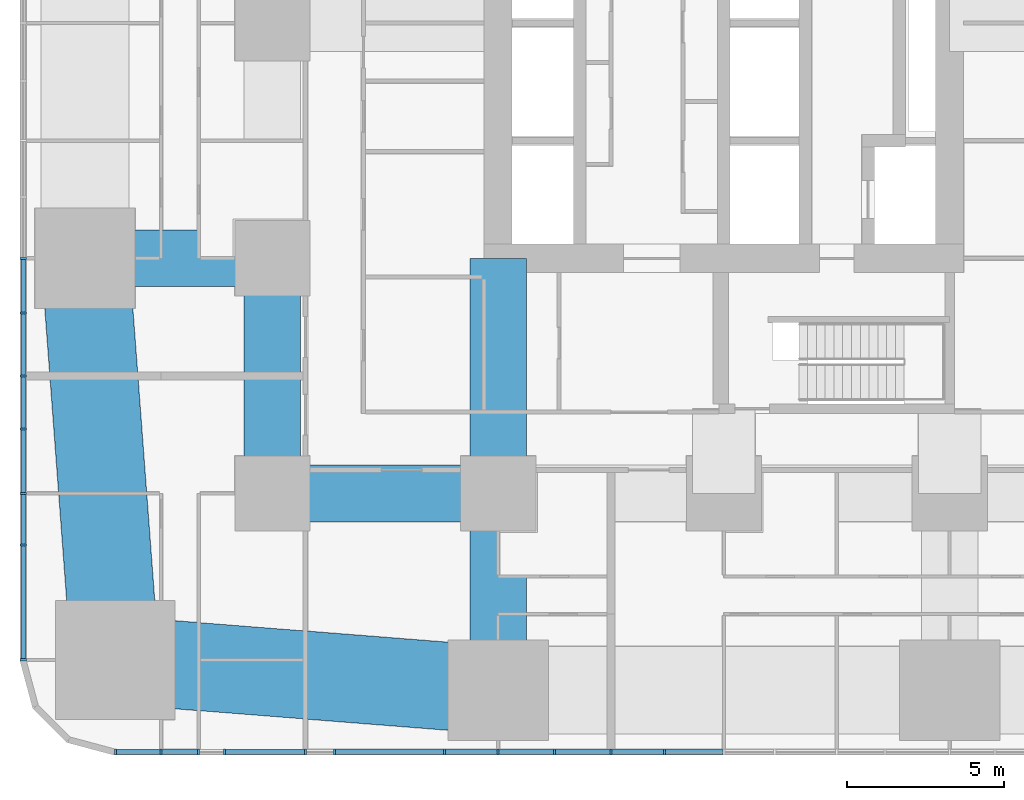
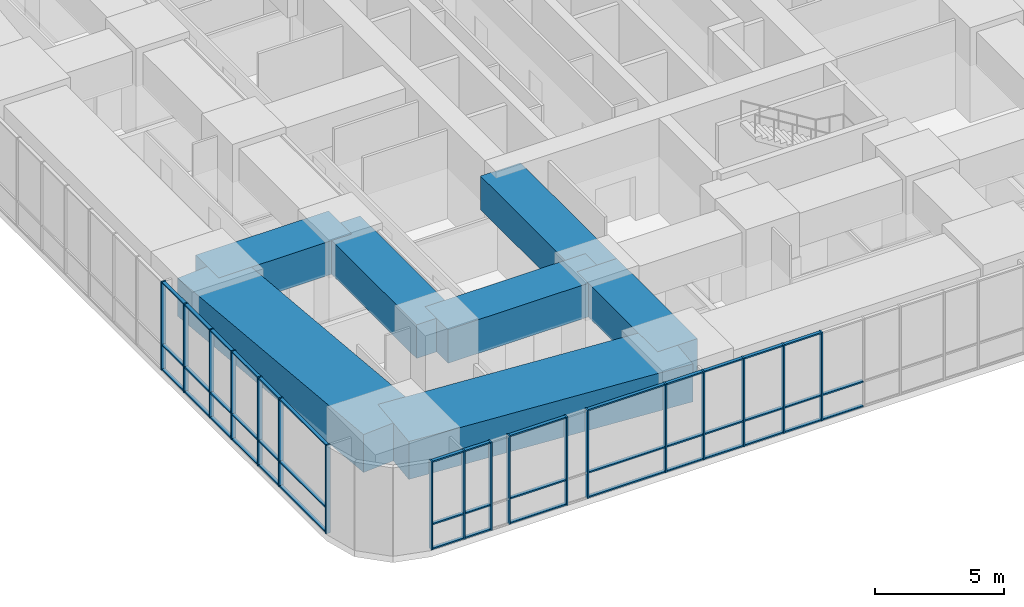
# One storey, part 2 of 23: 62 members, 7 beams, 2 elements without a shape of their own.
"""IFC4 building model written with IfcOpenShell, lengths in metres."""

from ifc_helpers import new_model, si_unit, direction, frame, origin, origin_2d, place, context, subcontext, project, spatial, rectangle, extrude, material, material_profile, profile_set, type_object, element, aggregate, save


model = new_model("IFC4")

# Units and contexts
model_context = context("Model", 3, precision=1e-05, world=origin(), true_north=direction((0.0, 1.0)))
body_context = subcontext(model_context, "Body", "Model", "MODEL_VIEW")
ifc_project = project(units=[si_unit("LENGTHUNIT", "METRE"), si_unit("AREAUNIT", "SQUARE_METRE"), si_unit("VOLUMEUNIT", "CUBIC_METRE"), si_unit("PLANEANGLEUNIT", "RADIAN"), si_unit("MASSUNIT", "GRAM", prefix="KILO")], contexts=[model_context])

# Site, building, storey
site_placement = place(None, origin())
site = spatial("IfcSite", under=ifc_project, at=site_placement, CompositionType="ELEMENT")
building_placement = place(site_placement, origin())
building = spatial("IfcBuilding", under=site, at=building_placement, Name="Sheger Commons Tower", CompositionType="ELEMENT")
storey_placement = place(building_placement, frame((0.0, 0.0, 5.60009765625)))
storey = spatial("IfcBuildingStorey", under=building, at=storey_placement, Name="L01", CompositionType="ELEMENT", Elevation=5.60009765625)

# Beams
ifc_material_1 = material(Name="Concrete C50/60", Category="concrete")
ifc_material_profile_1 = material_profile(ifc_material_1, rectangle(XDim=1.800048828125, YDim=1.60009765625, at=origin_2d()), Name="RC 1800x1600")
ifc_profile_set_1 = profile_set([ifc_material_profile_1], Name="Concrete C50/60")
beam_type_1 = type_object("IfcBeamType", Name="BEAM RC 1800x1600", PredefinedType="BEAM", material=ifc_profile_set_1)
beam_1_placement = place(storey_placement, frame((7.199951171875, 7.5, 3.39990234375), z_axis=(1.0, 0.0, 0.0), x_axis=(0.0, 1.0, 0.0)))
element("IfcBeam", 1, at=beam_1_placement, inside=storey, type_object=beam_type_1, Name="Beam 2/B-3/B under L02", PredefinedType="BEAM", context=body_context, shape_type="SweptSolid", body=[
    extrude(rectangle(XDim=1.800048828125, YDim=1.60009765625, at=origin_2d()), origin(), (0.0, 0.0, 1.0), 7.199951171875),
])
beam_2_placement = place(storey_placement, frame((1.22509765625, 15.0, 3.39990234375), z_axis=(1.0, 0.0, 0.0), x_axis=(0.0, 1.0, 0.0)))
element("IfcBeam", 2, at=beam_2_placement, inside=storey, type_object=beam_type_1, Name="Beam 1/C-2/C under L02", PredefinedType="BEAM", context=body_context, shape_type="SweptSolid", body=[
    extrude(rectangle(XDim=1.800048828125, YDim=1.60009765625, at=origin_2d()), origin(), (0.0, 0.0, 1.0), 5.974853515625),
])
beam_3_placement = place(storey_placement, frame((7.199951171875, 7.5, 3.39990234375), z_axis=(0.0, 1.0, 0.0), x_axis=(-1.0, 0.0, 0.0)))
element("IfcBeam", 3, at=beam_3_placement, inside=storey, type_object=beam_type_1, Name="Beam 2/B-2/C under L02", PredefinedType="BEAM", context=body_context, shape_type="SweptSolid", body=[
    extrude(rectangle(XDim=1.800048828125, YDim=1.60009765625, at=origin_2d()), origin(), (0.0, 0.0, 1.0), 7.5),
])
beam_4_placement = place(storey_placement, frame((14.39990234375, 1.22509765625, 3.39990234375), z_axis=(0.0, 1.0, 0.0), x_axis=(-1.0, 0.0, 0.0)))
element("IfcBeam", 4, at=beam_4_placement, inside=storey, type_object=beam_type_1, Name="Beam 3/A-3/B under L02", PredefinedType="BEAM", context=body_context, shape_type="SweptSolid", body=[
    extrude(rectangle(XDim=1.800048828125, YDim=1.60009765625, at=origin_2d()), origin(), (0.0, 0.0, 1.0), 6.27490234375),
])
beam_5_placement = place(storey_placement, frame((14.39990234375, 7.5, 3.39990234375), z_axis=(0.0, 1.0, 0.0), x_axis=(-1.0, 0.0, 0.0)))
element("IfcBeam", 5, at=beam_5_placement, inside=storey, type_object=beam_type_1, Name="Beam 3/B-3/C under L02", PredefinedType="BEAM", context=body_context, shape_type="SweptSolid", body=[
    extrude(rectangle(XDim=1.800048828125, YDim=1.60009765625, at=origin_2d()), origin(), (0.0, 0.0, 1.0), 7.5),
])

# Curtain wall, members
ifc_material_2 = material(Name="Black aluminium curtain wall, dark tinted glazing", Category="aluminium")
curtain_wall_type = type_object("IfcCurtainWallType", Name="CURTAIN WALL CW2 HEALTH CENTRE", PredefinedType="USERDEFINED", material=ifc_material_2)
curtain_wall_1_placement = place(storey_placement, origin())
curtain_wall_1 = element("IfcCurtainWall", 6, at=curtain_wall_1_placement, inside=storey, type_object=curtain_wall_type, Name="Curtain Wall Cw2 Health Centre S1 L01", ObjectType="STICK CURTAIN WALL", PredefinedType="USERDEFINED")
ifc_material_3 = material(Name="Black anodised aluminium", Category="aluminium")
ifc_material_profile_2 = material_profile(ifc_material_3, rectangle(XDim=0.199951171875, YDim=0.06494140625, at=origin_2d()), Name="AL 65x200")
ifc_profile_set_2 = profile_set([ifc_material_profile_2], Name="Black anodised aluminium")
member_type_1 = type_object("IfcMemberType", Name="MULLION AL 65x200", PredefinedType="MULLION", material=ifc_profile_set_2)
member_1_placement = place(storey_placement, frame((2.195556640625, -0.75, 0.0), z_axis=(0.0, 0.0, 1.0), x_axis=(0.0, 1.0, 0.0)))
member_1 = element("IfcMember", 7, at=member_1_placement, type_object=member_type_1, Name="CW2 mullion 1", PredefinedType="MULLION", context=body_context, shape_type="SweptSolid", body=[
    extrude(rectangle(XDim=0.199951171875, YDim=0.06494140625, at=origin_2d()), origin(), (0.0, 0.0, 1.0), 4.199951171875),
])
member_2_placement = place(storey_placement, frame((3.64990234375, -0.75, 0.0), z_axis=(0.0, 0.0, 1.0), x_axis=(0.0, 1.0, 0.0)))
member_2 = element("IfcMember", 8, at=member_2_placement, type_object=member_type_1, Name="CW2 mullion 2", PredefinedType="MULLION", context=body_context, shape_type="SweptSolid", body=[
    extrude(rectangle(XDim=0.199951171875, YDim=0.06494140625, at=origin_2d()), origin(), (0.0, 0.0, 1.0), 4.199951171875),
])
member_3_placement = place(storey_placement, frame((4.85009765625, -0.75, 0.0), z_axis=(0.0, 0.0, 1.0), x_axis=(0.0, 1.0, 0.0)))
member_3 = element("IfcMember", 9, at=member_3_placement, type_object=member_type_1, Name="CW2 mullion 3", PredefinedType="MULLION", context=body_context, shape_type="SweptSolid", body=[
    extrude(rectangle(XDim=0.199951171875, YDim=0.06494140625, at=origin_2d()), origin(), (0.0, 0.0, 1.0), 4.199951171875),
])
member_4_placement = place(storey_placement, frame((5.673095703125, -0.75, 0.0), z_axis=(0.0, 0.0, 1.0), x_axis=(0.0, 1.0, 0.0)))
member_4 = element("IfcMember", 10, at=member_4_placement, type_object=member_type_1, Name="CW2 mullion 4", PredefinedType="MULLION", context=body_context, shape_type="SweptSolid", body=[
    extrude(rectangle(XDim=0.199951171875, YDim=0.06494140625, at=origin_2d()), origin(), (0.0, 0.0, 1.0), 4.199951171875),
])
member_5_placement = place(storey_placement, frame((8.25, -0.75, 0.0), z_axis=(0.0, 0.0, 1.0), x_axis=(0.0, 1.0, 0.0)))
member_5 = element("IfcMember", 11, at=member_5_placement, type_object=member_type_1, Name="CW2 mullion 5", PredefinedType="MULLION", context=body_context, shape_type="SweptSolid", body=[
    extrude(rectangle(XDim=0.199951171875, YDim=0.06494140625, at=origin_2d()), origin(), (0.0, 0.0, 1.0), 4.199951171875),
])
member_6_placement = place(storey_placement, frame((9.18310546875, -0.75, 0.0), z_axis=(0.0, 0.0, 1.0), x_axis=(0.0, 1.0, 0.0)))
member_6 = element("IfcMember", 12, at=member_6_placement, type_object=member_type_1, Name="CW2 mullion 6", PredefinedType="MULLION", context=body_context, shape_type="SweptSolid", body=[
    extrude(rectangle(XDim=0.199951171875, YDim=0.06494140625, at=origin_2d()), origin(), (0.0, 0.0, 1.0), 4.199951171875),
])
member_7_placement = place(storey_placement, frame((12.693115234375, -0.75, 0.0), z_axis=(0.0, 0.0, 1.0), x_axis=(0.0, 1.0, 0.0)))
member_7 = element("IfcMember", 13, at=member_7_placement, type_object=member_type_1, Name="CW2 mullion 7", PredefinedType="MULLION", context=body_context, shape_type="SweptSolid", body=[
    extrude(rectangle(XDim=0.199951171875, YDim=0.06494140625, at=origin_2d()), origin(), (0.0, 0.0, 1.0), 4.199951171875),
])
member_8_placement = place(storey_placement, frame((14.39990234375, -0.75, 0.0), z_axis=(0.0, 0.0, 1.0), x_axis=(0.0, 1.0, 0.0)))
member_8 = element("IfcMember", 14, at=member_8_placement, type_object=member_type_1, Name="CW2 mullion 8", PredefinedType="MULLION", context=body_context, shape_type="SweptSolid", body=[
    extrude(rectangle(XDim=0.199951171875, YDim=0.06494140625, at=origin_2d()), origin(), (0.0, 0.0, 1.0), 4.199951171875),
])
member_9_placement = place(storey_placement, frame((16.201904296875, -0.75, 0.0), z_axis=(0.0, 0.0, 1.0), x_axis=(0.0, 1.0, 0.0)))
member_9 = element("IfcMember", 15, at=member_9_placement, type_object=member_type_1, Name="CW2 mullion 9", PredefinedType="MULLION", context=body_context, shape_type="SweptSolid", body=[
    extrude(rectangle(XDim=0.199951171875, YDim=0.06494140625, at=origin_2d()), origin(), (0.0, 0.0, 1.0), 4.199951171875),
])
member_10_placement = place(storey_placement, frame((18.0, -0.75, 0.0), z_axis=(0.0, 0.0, 1.0), x_axis=(0.0, 1.0, 0.0)))
member_10 = element("IfcMember", 16, at=member_10_placement, type_object=member_type_1, Name="CW2 mullion 10", PredefinedType="MULLION", context=body_context, shape_type="SweptSolid", body=[
    extrude(rectangle(XDim=0.199951171875, YDim=0.06494140625, at=origin_2d()), origin(), (0.0, 0.0, 1.0), 4.199951171875),
])
member_11_placement = place(storey_placement, frame((19.7119140625, -0.75, 0.0), z_axis=(0.0, 0.0, 1.0), x_axis=(0.0, 1.0, 0.0)))
member_11 = element("IfcMember", 17, at=member_11_placement, type_object=member_type_1, Name="CW2 mullion 11", PredefinedType="MULLION", context=body_context, shape_type="SweptSolid", body=[
    extrude(rectangle(XDim=0.199951171875, YDim=0.06494140625, at=origin_2d()), origin(), (0.0, 0.0, 1.0), 4.199951171875),
])

curtain_wall_2_placement = place(storey_placement, origin())
curtain_wall_2 = element("IfcCurtainWall", 18, at=curtain_wall_2_placement, inside=storey, type_object=curtain_wall_type, Name="Curtain Wall Cw2 Health Centre W1 L01", ObjectType="STICK CURTAIN WALL", PredefinedType="USERDEFINED")
member_12_placement = place(storey_placement, frame((-0.75, 15.0, 0.0), z_axis=(0.0, 0.0, 1.0), x_axis=(1.0, 0.0, 0.0)))
member_12 = element("IfcMember", 19, at=member_12_placement, type_object=member_type_1, Name="CW2 mullion 15", PredefinedType="MULLION", context=body_context, shape_type="SweptSolid", body=[
    extrude(rectangle(XDim=0.199951171875, YDim=0.06494140625, at=origin_2d()), origin(), (0.0, 0.0, 1.0), 4.199951171875),
])
member_13_placement = place(storey_placement, frame((-0.75, 13.256103515625, 0.0), z_axis=(0.0, 0.0, 1.0), x_axis=(1.0, 0.0, 0.0)))
member_13 = element("IfcMember", 20, at=member_13_placement, type_object=member_type_1, Name="CW2 mullion 16", PredefinedType="MULLION", context=body_context, shape_type="SweptSolid", body=[
    extrude(rectangle(XDim=0.199951171875, YDim=0.06494140625, at=origin_2d()), origin(), (0.0, 0.0, 1.0), 4.199951171875),
])
member_14_placement = place(storey_placement, frame((-0.75, 11.25, 0.0), z_axis=(0.0, 0.0, 1.0), x_axis=(1.0, 0.0, 0.0)))
member_14 = element("IfcMember", 21, at=member_14_placement, type_object=member_type_1, Name="CW2 mullion 17", PredefinedType="MULLION", context=body_context, shape_type="SweptSolid", body=[
    extrude(rectangle(XDim=0.199951171875, YDim=0.06494140625, at=origin_2d()), origin(), (0.0, 0.0, 1.0), 4.199951171875),
])
member_15_placement = place(storey_placement, frame((-0.75, 9.55810546875, 0.0), z_axis=(0.0, 0.0, 1.0), x_axis=(1.0, 0.0, 0.0)))
member_15 = element("IfcMember", 22, at=member_15_placement, type_object=member_type_1, Name="CW2 mullion 18", PredefinedType="MULLION", context=body_context, shape_type="SweptSolid", body=[
    extrude(rectangle(XDim=0.199951171875, YDim=0.06494140625, at=origin_2d()), origin(), (0.0, 0.0, 1.0), 4.199951171875),
])
member_16_placement = place(storey_placement, frame((-0.75, 7.5, 0.0), z_axis=(0.0, 0.0, 1.0), x_axis=(1.0, 0.0, 0.0)))
member_16 = element("IfcMember", 23, at=member_16_placement, type_object=member_type_1, Name="CW2 mullion 19", PredefinedType="MULLION", context=body_context, shape_type="SweptSolid", body=[
    extrude(rectangle(XDim=0.199951171875, YDim=0.06494140625, at=origin_2d()), origin(), (0.0, 0.0, 1.0), 4.199951171875),
])
member_17_placement = place(storey_placement, frame((-0.75, 5.861083984375, 0.0), z_axis=(0.0, 0.0, 1.0), x_axis=(1.0, 0.0, 0.0)))
member_17 = element("IfcMember", 24, at=member_17_placement, type_object=member_type_1, Name="CW2 mullion 20", PredefinedType="MULLION", context=body_context, shape_type="SweptSolid", body=[
    extrude(rectangle(XDim=0.199951171875, YDim=0.06494140625, at=origin_2d()), origin(), (0.0, 0.0, 1.0), 4.199951171875),
])
member_18_placement = place(storey_placement, frame((-0.75, 2.195556640625, 0.0), z_axis=(0.0, 0.0, 1.0), x_axis=(1.0, 0.0, 0.0)))
member_18 = element("IfcMember", 25, at=member_18_placement, type_object=member_type_1, Name="CW2 mullion 21", PredefinedType="MULLION", context=body_context, shape_type="SweptSolid", body=[
    extrude(rectangle(XDim=0.199951171875, YDim=0.06494140625, at=origin_2d()), origin(), (0.0, 0.0, 1.0), 4.199951171875),
])

# Beams
ifc_material_4 = material(Name="Concrete C50/60", Category="concrete")
ifc_material_profile_3 = material_profile(ifc_material_4, rectangle(XDim=2.800048828125, YDim=1.800048828125, at=origin_2d()), Name="RC 2800x1800")
ifc_profile_set_3 = profile_set([ifc_material_profile_3], Name="Concrete C50/60")
beam_type_2 = type_object("IfcBeamType", Name="SPANDREL RC 2800x1800", PredefinedType="SPANDREL", material=ifc_profile_set_3)
beam_6_placement = place(storey_placement, frame((2.18603515625, 2.18603515625, 3.2998046875), z_axis=(0.996919342492, -0.078433567843, 0.0), x_axis=(0.078433567843, 0.996919342492, 0.0)))
element("IfcBeam", 26, at=beam_6_placement, inside=storey, type_object=beam_type_2, Name="Beam 0.630,0.630-3/A under L02", PredefinedType="SPANDREL", context=body_context, shape_type="SweptSolid", body=[
    extrude(rectangle(XDim=2.800048828125, YDim=1.800048828125, at=origin_2d()), origin(), (0.0, 0.0, 1.0), 12.251708984375),
])
beam_7_placement = place(storey_placement, frame((1.22509765625, 15.0, 3.2998046875), z_axis=(0.074781446354, -0.997199947494, 0.0), x_axis=(0.997199947494, 0.074781446354, 0.0)))
element("IfcBeam", 27, at=beam_7_placement, inside=storey, type_object=beam_type_2, Name="Beam 1/C-0.630,0.630 under L02", PredefinedType="SPANDREL", context=body_context, shape_type="SweptSolid", body=[
    extrude(rectangle(XDim=2.800048828125, YDim=1.800048828125, at=origin_2d()), origin(), (0.0, 0.0, 1.0), 12.849853515625),
])

# Member
ifc_material_5 = material(Name="Black anodised aluminium", Category="aluminium")
ifc_material_profile_4 = material_profile(ifc_material_5, rectangle(XDim=0.14990234375, YDim=0.06494140625, at=origin_2d()), Name="AL 65x150")
ifc_profile_set_4 = profile_set([ifc_material_profile_4], Name="Black anodised aluminium")
member_type_2 = type_object("IfcMemberType", Name="TRANSOM AL 65x150", PredefinedType="USERDEFINED", material=ifc_profile_set_4)
member_19_placement = place(storey_placement, frame((2.22802734375, -0.75, 0.032470703125), z_axis=(1.0, 0.0, 0.0), x_axis=(0.0, 1.0, 0.0)))
member_19 = element("IfcMember", 28, at=member_19_placement, type_object=member_type_2, Name="CW2 transom 1.1", ObjectType="TRANSOM", PredefinedType="USERDEFINED", context=body_context, shape_type="SweptSolid", body=[
    extrude(rectangle(XDim=0.14990234375, YDim=0.06494140625, at=origin_2d()), origin(), (0.0, 0.0, 1.0), 1.389404296875),
])

member_20_placement = place(storey_placement, frame((2.22802734375, -0.75, 1.199951171875), z_axis=(1.0, 0.0, 0.0), x_axis=(0.0, 1.0, 0.0)))
member_20 = element("IfcMember", 29, at=member_20_placement, type_object=member_type_2, Name="CW2 transom 1.2", ObjectType="TRANSOM", PredefinedType="USERDEFINED", context=body_context, shape_type="SweptSolid", body=[
    extrude(rectangle(XDim=0.14990234375, YDim=0.06494140625, at=origin_2d()), origin(), (0.0, 0.0, 1.0), 1.389404296875),
])

member_21_placement = place(storey_placement, frame((2.22802734375, -0.75, 4.16748046875), z_axis=(1.0, 0.0, 0.0), x_axis=(0.0, 1.0, 0.0)))
member_21 = element("IfcMember", 30, at=member_21_placement, type_object=member_type_2, Name="CW2 transom 1.3", ObjectType="TRANSOM", PredefinedType="USERDEFINED", context=body_context, shape_type="SweptSolid", body=[
    extrude(rectangle(XDim=0.14990234375, YDim=0.06494140625, at=origin_2d()), origin(), (0.0, 0.0, 1.0), 1.389404296875),
])

member_22_placement = place(storey_placement, frame((3.6826171875, -0.75, 0.032470703125), z_axis=(1.0, 0.0, 0.0), x_axis=(0.0, 1.0, 0.0)))
member_22 = element("IfcMember", 31, at=member_22_placement, type_object=member_type_2, Name="CW2 transom 2.1", ObjectType="TRANSOM", PredefinedType="USERDEFINED", context=body_context, shape_type="SweptSolid", body=[
    extrude(rectangle(XDim=0.14990234375, YDim=0.06494140625, at=origin_2d()), origin(), (0.0, 0.0, 1.0), 1.134765625),
])

member_23_placement = place(storey_placement, frame((3.6826171875, -0.75, 1.199951171875), z_axis=(1.0, 0.0, 0.0), x_axis=(0.0, 1.0, 0.0)))
member_23 = element("IfcMember", 32, at=member_23_placement, type_object=member_type_2, Name="CW2 transom 2.2", ObjectType="TRANSOM", PredefinedType="USERDEFINED", context=body_context, shape_type="SweptSolid", body=[
    extrude(rectangle(XDim=0.14990234375, YDim=0.06494140625, at=origin_2d()), origin(), (0.0, 0.0, 1.0), 1.134765625),
])

member_24_placement = place(storey_placement, frame((3.6826171875, -0.75, 4.16748046875), z_axis=(1.0, 0.0, 0.0), x_axis=(0.0, 1.0, 0.0)))
member_24 = element("IfcMember", 33, at=member_24_placement, type_object=member_type_2, Name="CW2 transom 2.3", ObjectType="TRANSOM", PredefinedType="USERDEFINED", context=body_context, shape_type="SweptSolid", body=[
    extrude(rectangle(XDim=0.14990234375, YDim=0.06494140625, at=origin_2d()), origin(), (0.0, 0.0, 1.0), 1.134765625),
])

member_25_placement = place(storey_placement, frame((5.70556640625, -0.75, 0.032470703125), z_axis=(1.0, 0.0, 0.0), x_axis=(0.0, 1.0, 0.0)))
member_25 = element("IfcMember", 34, at=member_25_placement, type_object=member_type_2, Name="CW2 transom 4.1", ObjectType="TRANSOM", PredefinedType="USERDEFINED", context=body_context, shape_type="SweptSolid", body=[
    extrude(rectangle(XDim=0.14990234375, YDim=0.06494140625, at=origin_2d()), origin(), (0.0, 0.0, 1.0), 2.511962890625),
])

member_26_placement = place(storey_placement, frame((5.70556640625, -0.75, 1.199951171875), z_axis=(1.0, 0.0, 0.0), x_axis=(0.0, 1.0, 0.0)))
member_26 = element("IfcMember", 35, at=member_26_placement, type_object=member_type_2, Name="CW2 transom 4.2", ObjectType="TRANSOM", PredefinedType="USERDEFINED", context=body_context, shape_type="SweptSolid", body=[
    extrude(rectangle(XDim=0.14990234375, YDim=0.06494140625, at=origin_2d()), origin(), (0.0, 0.0, 1.0), 2.511962890625),
])

member_27_placement = place(storey_placement, frame((5.70556640625, -0.75, 4.16748046875), z_axis=(1.0, 0.0, 0.0), x_axis=(0.0, 1.0, 0.0)))
member_27 = element("IfcMember", 36, at=member_27_placement, type_object=member_type_2, Name="CW2 transom 4.3", ObjectType="TRANSOM", PredefinedType="USERDEFINED", context=body_context, shape_type="SweptSolid", body=[
    extrude(rectangle(XDim=0.14990234375, YDim=0.06494140625, at=origin_2d()), origin(), (0.0, 0.0, 1.0), 2.511962890625),
])

member_28_placement = place(storey_placement, frame((9.215576171875, -0.75, 0.032470703125), z_axis=(1.0, 0.0, 0.0), x_axis=(0.0, 1.0, 0.0)))
member_28 = element("IfcMember", 37, at=member_28_placement, type_object=member_type_2, Name="CW2 transom 6.1", ObjectType="TRANSOM", PredefinedType="USERDEFINED", context=body_context, shape_type="SweptSolid", body=[
    extrude(rectangle(XDim=0.14990234375, YDim=0.06494140625, at=origin_2d()), origin(), (0.0, 0.0, 1.0), 3.44482421875),
])

member_29_placement = place(storey_placement, frame((9.215576171875, -0.75, 1.199951171875), z_axis=(1.0, 0.0, 0.0), x_axis=(0.0, 1.0, 0.0)))
member_29 = element("IfcMember", 38, at=member_29_placement, type_object=member_type_2, Name="CW2 transom 6.2", ObjectType="TRANSOM", PredefinedType="USERDEFINED", context=body_context, shape_type="SweptSolid", body=[
    extrude(rectangle(XDim=0.14990234375, YDim=0.06494140625, at=origin_2d()), origin(), (0.0, 0.0, 1.0), 3.44482421875),
])

member_30_placement = place(storey_placement, frame((9.215576171875, -0.75, 4.16748046875), z_axis=(1.0, 0.0, 0.0), x_axis=(0.0, 1.0, 0.0)))
member_30 = element("IfcMember", 39, at=member_30_placement, type_object=member_type_2, Name="CW2 transom 6.3", ObjectType="TRANSOM", PredefinedType="USERDEFINED", context=body_context, shape_type="SweptSolid", body=[
    extrude(rectangle(XDim=0.14990234375, YDim=0.06494140625, at=origin_2d()), origin(), (0.0, 0.0, 1.0), 3.44482421875),
])

member_31_placement = place(storey_placement, frame((12.7255859375, -0.75, 0.032470703125), z_axis=(1.0, 0.0, 0.0), x_axis=(0.0, 1.0, 0.0)))
member_31 = element("IfcMember", 40, at=member_31_placement, type_object=member_type_2, Name="CW2 transom 7.1", ObjectType="TRANSOM", PredefinedType="USERDEFINED", context=body_context, shape_type="SweptSolid", body=[
    extrude(rectangle(XDim=0.14990234375, YDim=0.06494140625, at=origin_2d()), origin(), (0.0, 0.0, 1.0), 1.641845703125),
])

member_32_placement = place(storey_placement, frame((12.7255859375, -0.75, 1.199951171875), z_axis=(1.0, 0.0, 0.0), x_axis=(0.0, 1.0, 0.0)))
member_32 = element("IfcMember", 41, at=member_32_placement, type_object=member_type_2, Name="CW2 transom 7.2", ObjectType="TRANSOM", PredefinedType="USERDEFINED", context=body_context, shape_type="SweptSolid", body=[
    extrude(rectangle(XDim=0.14990234375, YDim=0.06494140625, at=origin_2d()), origin(), (0.0, 0.0, 1.0), 1.641845703125),
])

member_33_placement = place(storey_placement, frame((12.7255859375, -0.75, 4.16748046875), z_axis=(1.0, 0.0, 0.0), x_axis=(0.0, 1.0, 0.0)))
member_33 = element("IfcMember", 42, at=member_33_placement, type_object=member_type_2, Name="CW2 transom 7.3", ObjectType="TRANSOM", PredefinedType="USERDEFINED", context=body_context, shape_type="SweptSolid", body=[
    extrude(rectangle(XDim=0.14990234375, YDim=0.06494140625, at=origin_2d()), origin(), (0.0, 0.0, 1.0), 1.641845703125),
])

member_34_placement = place(storey_placement, frame((14.4326171875, -0.75, 0.032470703125), z_axis=(1.0, 0.0, 0.0), x_axis=(0.0, 1.0, 0.0)))
member_34 = element("IfcMember", 43, at=member_34_placement, type_object=member_type_2, Name="CW2 transom 8.1", ObjectType="TRANSOM", PredefinedType="USERDEFINED", context=body_context, shape_type="SweptSolid", body=[
    extrude(rectangle(XDim=0.14990234375, YDim=0.06494140625, at=origin_2d()), origin(), (0.0, 0.0, 1.0), 1.73681640625),
])

member_35_placement = place(storey_placement, frame((14.4326171875, -0.75, 1.199951171875), z_axis=(1.0, 0.0, 0.0), x_axis=(0.0, 1.0, 0.0)))
member_35 = element("IfcMember", 44, at=member_35_placement, type_object=member_type_2, Name="CW2 transom 8.2", ObjectType="TRANSOM", PredefinedType="USERDEFINED", context=body_context, shape_type="SweptSolid", body=[
    extrude(rectangle(XDim=0.14990234375, YDim=0.06494140625, at=origin_2d()), origin(), (0.0, 0.0, 1.0), 1.73681640625),
])

member_36_placement = place(storey_placement, frame((14.4326171875, -0.75, 4.16748046875), z_axis=(1.0, 0.0, 0.0), x_axis=(0.0, 1.0, 0.0)))
member_36 = element("IfcMember", 45, at=member_36_placement, type_object=member_type_2, Name="CW2 transom 8.3", ObjectType="TRANSOM", PredefinedType="USERDEFINED", context=body_context, shape_type="SweptSolid", body=[
    extrude(rectangle(XDim=0.14990234375, YDim=0.06494140625, at=origin_2d()), origin(), (0.0, 0.0, 1.0), 1.73681640625),
])

member_37_placement = place(storey_placement, frame((16.234619140625, -0.75, 0.032470703125), z_axis=(1.0, 0.0, 0.0), x_axis=(0.0, 1.0, 0.0)))
member_37 = element("IfcMember", 46, at=member_37_placement, type_object=member_type_2, Name="CW2 transom 9.1", ObjectType="TRANSOM", PredefinedType="USERDEFINED", context=body_context, shape_type="SweptSolid", body=[
    extrude(rectangle(XDim=0.14990234375, YDim=0.06494140625, at=origin_2d()), origin(), (0.0, 0.0, 1.0), 1.73291015625),
])

member_38_placement = place(storey_placement, frame((16.234619140625, -0.75, 1.199951171875), z_axis=(1.0, 0.0, 0.0), x_axis=(0.0, 1.0, 0.0)))
member_38 = element("IfcMember", 47, at=member_38_placement, type_object=member_type_2, Name="CW2 transom 9.2", ObjectType="TRANSOM", PredefinedType="USERDEFINED", context=body_context, shape_type="SweptSolid", body=[
    extrude(rectangle(XDim=0.14990234375, YDim=0.06494140625, at=origin_2d()), origin(), (0.0, 0.0, 1.0), 1.73291015625),
])

member_39_placement = place(storey_placement, frame((16.234619140625, -0.75, 4.16748046875), z_axis=(1.0, 0.0, 0.0), x_axis=(0.0, 1.0, 0.0)))
member_39 = element("IfcMember", 48, at=member_39_placement, type_object=member_type_2, Name="CW2 transom 9.3", ObjectType="TRANSOM", PredefinedType="USERDEFINED", context=body_context, shape_type="SweptSolid", body=[
    extrude(rectangle(XDim=0.14990234375, YDim=0.06494140625, at=origin_2d()), origin(), (0.0, 0.0, 1.0), 1.73291015625),
])

member_40_placement = place(storey_placement, frame((18.032470703125, -0.75, 0.032470703125), z_axis=(1.0, 0.0, 0.0), x_axis=(0.0, 1.0, 0.0)))
member_40 = element("IfcMember", 49, at=member_40_placement, type_object=member_type_2, Name="CW2 transom 10.1", ObjectType="TRANSOM", PredefinedType="USERDEFINED", context=body_context, shape_type="SweptSolid", body=[
    extrude(rectangle(XDim=0.14990234375, YDim=0.06494140625, at=origin_2d()), origin(), (0.0, 0.0, 1.0), 1.64697265625),
])

member_41_placement = place(storey_placement, frame((18.032470703125, -0.75, 1.199951171875), z_axis=(1.0, 0.0, 0.0), x_axis=(0.0, 1.0, 0.0)))
member_41 = element("IfcMember", 50, at=member_41_placement, type_object=member_type_2, Name="CW2 transom 10.2", ObjectType="TRANSOM", PredefinedType="USERDEFINED", context=body_context, shape_type="SweptSolid", body=[
    extrude(rectangle(XDim=0.14990234375, YDim=0.06494140625, at=origin_2d()), origin(), (0.0, 0.0, 1.0), 1.64697265625),
])

member_42_placement = place(storey_placement, frame((18.032470703125, -0.75, 4.16748046875), z_axis=(1.0, 0.0, 0.0), x_axis=(0.0, 1.0, 0.0)))
member_42 = element("IfcMember", 51, at=member_42_placement, type_object=member_type_2, Name="CW2 transom 10.3", ObjectType="TRANSOM", PredefinedType="USERDEFINED", context=body_context, shape_type="SweptSolid", body=[
    extrude(rectangle(XDim=0.14990234375, YDim=0.06494140625, at=origin_2d()), origin(), (0.0, 0.0, 1.0), 1.64697265625),
])

member_43_placement = place(storey_placement, frame((19.744384765625, -0.75, 0.032470703125), z_axis=(1.0, 0.0, 0.0), x_axis=(0.0, 1.0, 0.0)))
member_43 = element("IfcMember", 52, at=member_43_placement, type_object=member_type_2, Name="CW2 transom 11.1", ObjectType="TRANSOM", PredefinedType="USERDEFINED", context=body_context, shape_type="SweptSolid", body=[
    extrude(rectangle(XDim=0.14990234375, YDim=0.06494140625, at=origin_2d()), origin(), (0.0, 0.0, 1.0), 1.822998046875),
])

member_44_placement = place(storey_placement, frame((19.744384765625, -0.75, 1.199951171875), z_axis=(1.0, 0.0, 0.0), x_axis=(0.0, 1.0, 0.0)))
member_44 = element("IfcMember", 53, at=member_44_placement, type_object=member_type_2, Name="CW2 transom 11.2", ObjectType="TRANSOM", PredefinedType="USERDEFINED", context=body_context, shape_type="SweptSolid", body=[
    extrude(rectangle(XDim=0.14990234375, YDim=0.06494140625, at=origin_2d()), origin(), (0.0, 0.0, 1.0), 1.822998046875),
])

aggregate(curtain_wall_1, [member_1, member_2, member_3, member_4, member_5, member_6, member_7, member_8, member_9, member_10, member_11, member_19, member_20, member_21, member_22, member_23, member_24, member_25, member_26, member_27, member_28, member_29, member_30, member_31, member_32, member_33, member_34, member_35, member_36, member_37, member_38, member_39, member_40, member_41, member_42, member_43, member_44])

member_45_placement = place(storey_placement, frame((-0.75, 14.967529296875, 0.032470703125), z_axis=(0.0, -1.0, 0.0), x_axis=(1.0, 0.0, 0.0)))
member_45 = element("IfcMember", 54, at=member_45_placement, type_object=member_type_2, Name="CW2 transom 15.1", ObjectType="TRANSOM", PredefinedType="USERDEFINED", context=body_context, shape_type="SweptSolid", body=[
    extrude(rectangle(XDim=0.14990234375, YDim=0.06494140625, at=origin_2d()), origin(), (0.0, 0.0, 1.0), 1.678955078125),
])

member_46_placement = place(storey_placement, frame((-0.75, 14.967529296875, 1.199951171875), z_axis=(0.0, -1.0, 0.0), x_axis=(1.0, 0.0, 0.0)))
member_46 = element("IfcMember", 55, at=member_46_placement, type_object=member_type_2, Name="CW2 transom 15.2", ObjectType="TRANSOM", PredefinedType="USERDEFINED", context=body_context, shape_type="SweptSolid", body=[
    extrude(rectangle(XDim=0.14990234375, YDim=0.06494140625, at=origin_2d()), origin(), (0.0, 0.0, 1.0), 1.678955078125),
])

member_47_placement = place(storey_placement, frame((-0.75, 14.967529296875, 4.16748046875), z_axis=(0.0, -1.0, 0.0), x_axis=(1.0, 0.0, 0.0)))
member_47 = element("IfcMember", 56, at=member_47_placement, type_object=member_type_2, Name="CW2 transom 15.3", ObjectType="TRANSOM", PredefinedType="USERDEFINED", context=body_context, shape_type="SweptSolid", body=[
    extrude(rectangle(XDim=0.14990234375, YDim=0.06494140625, at=origin_2d()), origin(), (0.0, 0.0, 1.0), 1.678955078125),
])

member_48_placement = place(storey_placement, frame((-0.75, 13.223388671875, 0.032470703125), z_axis=(0.0, -1.0, 0.0), x_axis=(1.0, 0.0, 0.0)))
member_48 = element("IfcMember", 57, at=member_48_placement, type_object=member_type_2, Name="CW2 transom 16.1", ObjectType="TRANSOM", PredefinedType="USERDEFINED", context=body_context, shape_type="SweptSolid", body=[
    extrude(rectangle(XDim=0.14990234375, YDim=0.06494140625, at=origin_2d()), origin(), (0.0, 0.0, 1.0), 1.94091796875),
])

member_49_placement = place(storey_placement, frame((-0.75, 13.223388671875, 1.199951171875), z_axis=(0.0, -1.0, 0.0), x_axis=(1.0, 0.0, 0.0)))
member_49 = element("IfcMember", 58, at=member_49_placement, type_object=member_type_2, Name="CW2 transom 16.2", ObjectType="TRANSOM", PredefinedType="USERDEFINED", context=body_context, shape_type="SweptSolid", body=[
    extrude(rectangle(XDim=0.14990234375, YDim=0.06494140625, at=origin_2d()), origin(), (0.0, 0.0, 1.0), 1.94091796875),
])

member_50_placement = place(storey_placement, frame((-0.75, 13.223388671875, 4.16748046875), z_axis=(0.0, -1.0, 0.0), x_axis=(1.0, 0.0, 0.0)))
member_50 = element("IfcMember", 59, at=member_50_placement, type_object=member_type_2, Name="CW2 transom 16.3", ObjectType="TRANSOM", PredefinedType="USERDEFINED", context=body_context, shape_type="SweptSolid", body=[
    extrude(rectangle(XDim=0.14990234375, YDim=0.06494140625, at=origin_2d()), origin(), (0.0, 0.0, 1.0), 1.94091796875),
])

member_51_placement = place(storey_placement, frame((-0.75, 11.217529296875, 0.032470703125), z_axis=(0.0, -1.0, 0.0), x_axis=(1.0, 0.0, 0.0)))
member_51 = element("IfcMember", 60, at=member_51_placement, type_object=member_type_2, Name="CW2 transom 17.1", ObjectType="TRANSOM", PredefinedType="USERDEFINED", context=body_context, shape_type="SweptSolid", body=[
    extrude(rectangle(XDim=0.14990234375, YDim=0.06494140625, at=origin_2d()), origin(), (0.0, 0.0, 1.0), 1.626953125),
])

member_52_placement = place(storey_placement, frame((-0.75, 11.217529296875, 1.199951171875), z_axis=(0.0, -1.0, 0.0), x_axis=(1.0, 0.0, 0.0)))
member_52 = element("IfcMember", 61, at=member_52_placement, type_object=member_type_2, Name="CW2 transom 17.2", ObjectType="TRANSOM", PredefinedType="USERDEFINED", context=body_context, shape_type="SweptSolid", body=[
    extrude(rectangle(XDim=0.14990234375, YDim=0.06494140625, at=origin_2d()), origin(), (0.0, 0.0, 1.0), 1.626953125),
])

member_53_placement = place(storey_placement, frame((-0.75, 11.217529296875, 4.16748046875), z_axis=(0.0, -1.0, 0.0), x_axis=(1.0, 0.0, 0.0)))
member_53 = element("IfcMember", 62, at=member_53_placement, type_object=member_type_2, Name="CW2 transom 17.3", ObjectType="TRANSOM", PredefinedType="USERDEFINED", context=body_context, shape_type="SweptSolid", body=[
    extrude(rectangle(XDim=0.14990234375, YDim=0.06494140625, at=origin_2d()), origin(), (0.0, 0.0, 1.0), 1.626953125),
])

member_54_placement = place(storey_placement, frame((-0.75, 9.525390625, 0.032470703125), z_axis=(0.0, -1.0, 0.0), x_axis=(1.0, 0.0, 0.0)))
member_54 = element("IfcMember", 63, at=member_54_placement, type_object=member_type_2, Name="CW2 transom 18.1", ObjectType="TRANSOM", PredefinedType="USERDEFINED", context=body_context, shape_type="SweptSolid", body=[
    extrude(rectangle(XDim=0.14990234375, YDim=0.06494140625, at=origin_2d()), origin(), (0.0, 0.0, 1.0), 1.992919921875),
])

member_55_placement = place(storey_placement, frame((-0.75, 9.525390625, 1.199951171875), z_axis=(0.0, -1.0, 0.0), x_axis=(1.0, 0.0, 0.0)))
member_55 = element("IfcMember", 64, at=member_55_placement, type_object=member_type_2, Name="CW2 transom 18.2", ObjectType="TRANSOM", PredefinedType="USERDEFINED", context=body_context, shape_type="SweptSolid", body=[
    extrude(rectangle(XDim=0.14990234375, YDim=0.06494140625, at=origin_2d()), origin(), (0.0, 0.0, 1.0), 1.992919921875),
])

member_56_placement = place(storey_placement, frame((-0.75, 9.525390625, 4.16748046875), z_axis=(0.0, -1.0, 0.0), x_axis=(1.0, 0.0, 0.0)))
member_56 = element("IfcMember", 65, at=member_56_placement, type_object=member_type_2, Name="CW2 transom 18.3", ObjectType="TRANSOM", PredefinedType="USERDEFINED", context=body_context, shape_type="SweptSolid", body=[
    extrude(rectangle(XDim=0.14990234375, YDim=0.06494140625, at=origin_2d()), origin(), (0.0, 0.0, 1.0), 1.992919921875),
])

member_57_placement = place(storey_placement, frame((-0.75, 7.467529296875, 0.032470703125), z_axis=(0.0, -1.0, 0.0), x_axis=(1.0, 0.0, 0.0)))
member_57 = element("IfcMember", 66, at=member_57_placement, type_object=member_type_2, Name="CW2 transom 19.1", ObjectType="TRANSOM", PredefinedType="USERDEFINED", context=body_context, shape_type="SweptSolid", body=[
    extrude(rectangle(XDim=0.14990234375, YDim=0.06494140625, at=origin_2d()), origin(), (0.0, 0.0, 1.0), 1.573974609375),
])

member_58_placement = place(storey_placement, frame((-0.75, 7.467529296875, 1.199951171875), z_axis=(0.0, -1.0, 0.0), x_axis=(1.0, 0.0, 0.0)))
member_58 = element("IfcMember", 67, at=member_58_placement, type_object=member_type_2, Name="CW2 transom 19.2", ObjectType="TRANSOM", PredefinedType="USERDEFINED", context=body_context, shape_type="SweptSolid", body=[
    extrude(rectangle(XDim=0.14990234375, YDim=0.06494140625, at=origin_2d()), origin(), (0.0, 0.0, 1.0), 1.573974609375),
])

member_59_placement = place(storey_placement, frame((-0.75, 7.467529296875, 4.16748046875), z_axis=(0.0, -1.0, 0.0), x_axis=(1.0, 0.0, 0.0)))
member_59 = element("IfcMember", 68, at=member_59_placement, type_object=member_type_2, Name="CW2 transom 19.3", ObjectType="TRANSOM", PredefinedType="USERDEFINED", context=body_context, shape_type="SweptSolid", body=[
    extrude(rectangle(XDim=0.14990234375, YDim=0.06494140625, at=origin_2d()), origin(), (0.0, 0.0, 1.0), 1.573974609375),
])

member_60_placement = place(storey_placement, frame((-0.75, 5.82861328125, 0.032470703125), z_axis=(0.0, -1.0, 0.0), x_axis=(1.0, 0.0, 0.0)))
member_60 = element("IfcMember", 69, at=member_60_placement, type_object=member_type_2, Name="CW2 transom 20.1", ObjectType="TRANSOM", PredefinedType="USERDEFINED", context=body_context, shape_type="SweptSolid", body=[
    extrude(rectangle(XDim=0.14990234375, YDim=0.06494140625, at=origin_2d()), origin(), (0.0, 0.0, 1.0), 3.6005859375),
])

member_61_placement = place(storey_placement, frame((-0.75, 5.82861328125, 1.199951171875), z_axis=(0.0, -1.0, 0.0), x_axis=(1.0, 0.0, 0.0)))
member_61 = element("IfcMember", 70, at=member_61_placement, type_object=member_type_2, Name="CW2 transom 20.2", ObjectType="TRANSOM", PredefinedType="USERDEFINED", context=body_context, shape_type="SweptSolid", body=[
    extrude(rectangle(XDim=0.14990234375, YDim=0.06494140625, at=origin_2d()), origin(), (0.0, 0.0, 1.0), 3.6005859375),
])

member_62_placement = place(storey_placement, frame((-0.75, 5.82861328125, 4.16748046875), z_axis=(0.0, -1.0, 0.0), x_axis=(1.0, 0.0, 0.0)))
member_62 = element("IfcMember", 71, at=member_62_placement, type_object=member_type_2, Name="CW2 transom 20.3", ObjectType="TRANSOM", PredefinedType="USERDEFINED", context=body_context, shape_type="SweptSolid", body=[
    extrude(rectangle(XDim=0.14990234375, YDim=0.06494140625, at=origin_2d()), origin(), (0.0, 0.0, 1.0), 3.6005859375),
])

aggregate(curtain_wall_2, [member_12, member_13, member_14, member_15, member_16, member_17, member_18, member_45, member_46, member_47, member_48, member_49, member_50, member_51, member_52, member_53, member_54, member_55, member_56, member_57, member_58, member_59, member_60, member_61, member_62])

save(model, "model.ifc")
